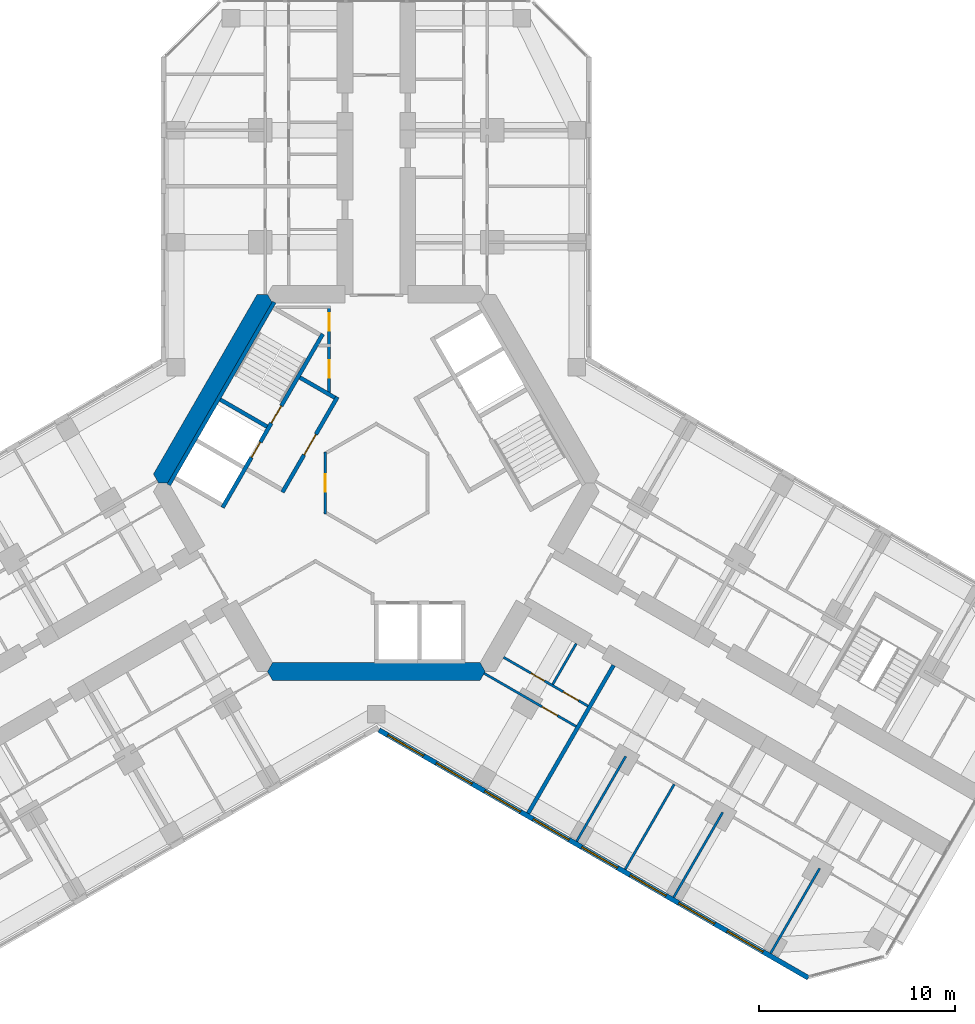
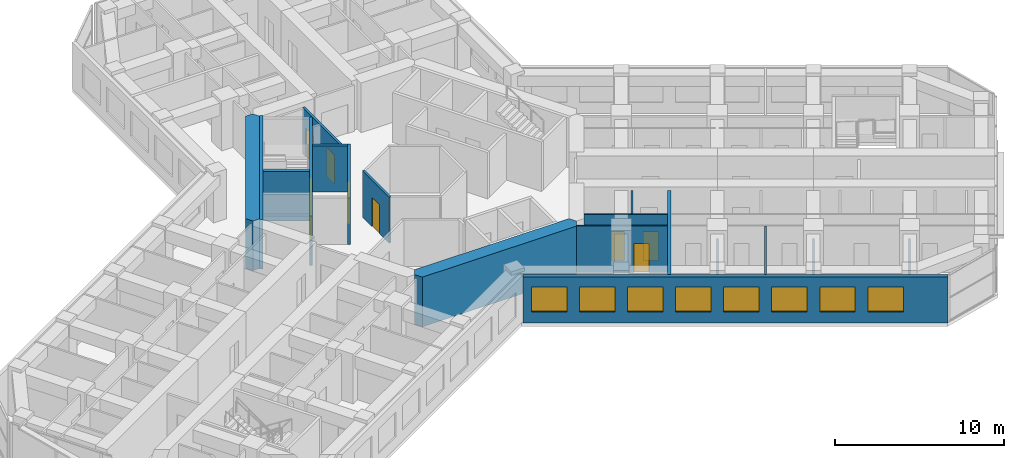
# One storey, part 13 of 19: 18 walls, 9 doors, 8 windows, 17 openings.
"""IFC4 building model written with IfcOpenShell, lengths in metres."""

from ifc_helpers import new_model, si_unit, direction, frame, frame_2d, origin, place, context, subcontext, project, spatial, polyline, rectangle, outline, extrude, material, layer, layer_set, type_object, element, fill, save


model = new_model("IFC4")

# Units and contexts
model_context = context("Model", 3, precision=1e-05, world=origin(), true_north=direction((0.0, 1.0)))
body_context = subcontext(model_context, "Body", "Model", "MODEL_VIEW")
ifc_project = project(units=[si_unit("LENGTHUNIT", "METRE"), si_unit("AREAUNIT", "SQUARE_METRE"), si_unit("VOLUMEUNIT", "CUBIC_METRE"), si_unit("PLANEANGLEUNIT", "RADIAN"), si_unit("MASSUNIT", "GRAM", prefix="KILO")], contexts=[model_context])

# Site, building, storey
site_placement = place(None, origin())
site = spatial("IfcSite", under=ifc_project, at=site_placement, CompositionType="ELEMENT")
building_placement = place(site_placement, origin())
building = spatial("IfcBuilding", under=site, at=building_placement, Name="Kosmar Iwan School Tower", CompositionType="ELEMENT")
storey_placement = place(building_placement, frame((0.0, 0.0, 158.0)))
storey = spatial("IfcBuildingStorey", under=building, at=storey_placement, Name="L39", CompositionType="ELEMENT", Elevation=158.0)

# Wall, openings, doors
ifc_material_1 = material(Name="Gypsum board on steel studs, fire-rated", Category="steel")
ifc_layer_1 = layer(ifc_material_1, 0.14990234375)
ifc_layer_set_1 = layer_set([ifc_layer_1], Name="Core room partition 150")
wall_type_1 = type_object("IfcWallType", Name="Core room partition 150", PredefinedType="PARTITIONING", material=ifc_layer_set_1)
wall_1_placement = place(storey_placement, frame((-2.39990234375, 9.014892578125, 0.0), z_axis=(0.0, 0.0, 1.0), x_axis=(0.0, -1.0, 0.0)))
wall_1 = element("IfcWall", 1, at=wall_1_placement, inside=storey, type_object=wall_type_1, Name="Core room partition L39-CW1", PredefinedType="PARTITIONING", context=body_context, shape_type="SweptSolid", body=[
    extrude(rectangle(XDim=4.484130859375, YDim=0.14990234375, at=frame_2d((2.2421875, 0.0))), origin(), (0.0, 0.0, 1.0), 3.35009765625),
])
opening_1_placement = place(wall_1_placement, frame((0.375, 0.0, 0.0)))
opening_1 = element("IfcOpeningElement", 2, at=opening_1_placement, cuts=wall_1, Name="Opening D14", PredefinedType="OPENING", context=body_context, shape_type="SweptSolid", body=[
    extrude(rectangle(XDim=0.89990234375, YDim=2.10009765625, at=frame_2d((0.449951171875, 1.050048828125))), frame((0.0, 0.0869140625, 0.0), z_axis=(0.0, -1.0, 0.0), x_axis=(1.0, 0.0, 0.0)), (0.0, 0.0, 1.0), 0.173828125),
])
opening_2_placement = place(wall_1_placement, frame((2.77490234375, 0.0, 0.0)))
opening_2 = element("IfcOpeningElement", 3, at=opening_2_placement, cuts=wall_1, Name="Opening D14", PredefinedType="OPENING", context=body_context, shape_type="SweptSolid", body=[
    extrude(rectangle(XDim=0.89990234375, YDim=2.10009765625, at=frame_2d((0.449951171875, 1.050048828125))), frame((0.0, 0.0869140625, 0.0), z_axis=(0.0, -1.0, 0.0), x_axis=(1.0, 0.0, 0.0)), (0.0, 0.0, 1.0), 0.173828125),
])
ifc_material_2 = material(Name="Timber fire door in steel frame", Category="steel")
door_type_1 = type_object("IfcDoorType", Name="Core room door 900x2100", OperationType="SINGLE_SWING_LEFT", PredefinedType="DOOR", material=ifc_material_2)
door_1_placement = place(opening_1_placement, origin())
door_1 = element("IfcDoor", 4, at=door_1_placement, inside=storey, type_object=door_type_1, Name="Electrical riser and switch room door L39 1", OperationType="SINGLE_SWING_LEFT", OverallHeight=2.10009765625, OverallWidth=0.89990234375, PredefinedType="DOOR", context=body_context, shape_type="SweptSolid", body=[
    extrude(rectangle(XDim=0.89990234375, YDim=2.10009765625, at=frame_2d((0.449951171875, 1.050048828125))), frame((0.0, 0.02490234375, 0.0), z_axis=(0.0, -1.0, 0.0), x_axis=(1.0, 0.0, 0.0)), (0.0, 0.0, 1.0), 0.050048828125),
])
fill(opening_1, door_1)
door_2_placement = place(opening_2_placement, origin())
door_2 = element("IfcDoor", 5, at=door_2_placement, inside=storey, type_object=door_type_1, Name="Plumbing and wet riser door L39 2", OperationType="SINGLE_SWING_RIGHT", OverallHeight=2.10009765625, OverallWidth=0.89990234375, PredefinedType="DOOR", context=body_context, shape_type="SweptSolid", body=[
    extrude(rectangle(XDim=0.89990234375, YDim=2.10009765625, at=frame_2d((0.449951171875, 1.050048828125))), frame((0.0, 0.02490234375, 0.0), z_axis=(0.0, -1.0, 0.0), x_axis=(1.0, 0.0, 0.0)), (0.0, 0.0, 1.0), 0.050048828125),
])
fill(opening_2, door_2)

# Wall, opening, door
wall_2_placement = place(storey_placement, frame((-2.60009765625, -1.576171875, 0.0), z_axis=(0.0, 0.0, 1.0), x_axis=(0.0, 1.0, 0.0)))
wall_2 = element("IfcWall", 6, at=wall_2_placement, inside=storey, type_object=wall_type_1, Name="Core room partition L39-CW10", PredefinedType="PARTITIONING", context=body_context, shape_type="SweptSolid", body=[
    extrude(rectangle(XDim=3.15234375, YDim=0.14990234375, at=frame_2d((1.576171875, 0.0))), origin(), (0.0, 0.0, 1.0), 3.35009765625),
])
opening_3_placement = place(wall_2_placement, frame((1.1259765625, 0.0, 0.0)))
opening_3 = element("IfcOpeningElement", 7, at=opening_3_placement, cuts=wall_2, Name="Opening D14", PredefinedType="OPENING", context=body_context, shape_type="SweptSolid", body=[
    extrude(rectangle(XDim=0.89990234375, YDim=2.10009765625, at=frame_2d((0.449951171875, 1.050048828125))), frame((0.0, 0.0869140625, 0.0), z_axis=(0.0, -1.0, 0.0), x_axis=(1.0, 0.0, 0.0)), (0.0, 0.0, 1.0), 0.173828125),
])
door_3_placement = place(opening_3_placement, origin())
door_3 = element("IfcDoor", 8, at=door_3_placement, inside=storey, type_object=door_type_1, Name="Bicycle repair room door L39 4", OperationType="SINGLE_SWING_RIGHT", OverallHeight=2.10009765625, OverallWidth=0.89990234375, PredefinedType="DOOR", context=body_context, shape_type="SweptSolid", body=[
    extrude(rectangle(XDim=0.89990234375, YDim=2.10009765625, at=frame_2d((0.449951171875, 1.050048828125))), frame((0.0, 0.02490234375, 0.0), z_axis=(0.0, -1.0, 0.0), x_axis=(1.0, 0.0, 0.0)), (0.0, 0.0, 1.0), 0.050048828125),
])
fill(opening_3, door_3)

# Walls
ifc_material_3 = material(Name="Concrete C50/60", Category="concrete")
ifc_layer_2 = layer(ifc_material_3, 0.89990234375)
ifc_layer_set_2 = layer_set([ifc_layer_2], Name="Core wall 900")
wall_type_2 = type_object("IfcWallType", Name="Core wall 900", PredefinedType="SHEAR", material=ifc_layer_set_2)
wall_3_placement = place(storey_placement, origin())
element("IfcWall", 9, at=wall_3_placement, inside=storey, type_object=wall_type_2, Name="Core wall F150", PredefinedType="SHEAR", context=body_context, shape_type="SweptSolid", body=[
    extrude(outline(polyline([(-11.085205078125, 0.0), (-10.5654296875, 0.0), (-5.28271484375, 9.14990234375), (-5.54248046875, 9.60009765625), (-6.062255859375, 9.60009765625), (-11.344970703125, 0.449951171875), (-11.085205078125, 0.0)])), origin(), (0.0, 0.0, 1.0), 3.60009765625),
])
wall_4_placement = place(storey_placement, origin())
element("IfcWall", 10, at=wall_4_placement, inside=storey, type_object=wall_type_2, Name="Core wall F270", PredefinedType="SHEAR", context=body_context, shape_type="SweptSolid", body=[
    extrude(outline(polyline([(-5.28271484375, -10.050048828125), (5.28271484375, -10.050048828125), (5.54248046875, -9.60009765625), (5.28271484375, -9.14990234375), (-5.28271484375, -9.14990234375), (-5.54248046875, -9.60009765625), (-5.28271484375, -10.050048828125)])), origin(), (0.0, 0.0, 1.0), 3.60009765625),
])

# Wall, openings, doors
ifc_material_4 = material(Name="Gypsum board on steel studs", Category="steel")
ifc_layer_3 = layer(ifc_material_4, 0.1201171875)
ifc_layer_set_3 = layer_set([ifc_layer_3], Name="Dwelling partition 120")
wall_type_3 = type_object("IfcWallType", Name="Dwelling partition 120", PredefinedType="PARTITIONING", material=ifc_layer_set_3)
wall_5_placement = place(storey_placement, frame((6.478515625, -8.87890625, 0.0), z_axis=(0.0, 0.0, 1.0), x_axis=(0.866040211805, -0.499974350878, 0.0)))
wall_5 = element("IfcWall", 11, at=wall_5_placement, inside=storey, type_object=wall_type_3, Name="Partition L39-CR1-W1", PredefinedType="PARTITIONING", context=body_context, shape_type="SweptSolid", body=[
    extrude(rectangle(XDim=4.949951171875, YDim=0.1201171875, at=frame_2d((2.47509765625, 0.0))), origin(), (0.0, 0.0, 1.0), 3.35009765625),
])
opening_4_placement = place(wall_5_placement, frame((1.60009765625, 0.0, 0.0)))
opening_4 = element("IfcOpeningElement", 12, at=opening_4_placement, cuts=wall_5, Name="Opening D3", PredefinedType="OPENING", context=body_context, shape_type="SweptSolid", body=[
    extrude(rectangle(XDim=0.800048828125, YDim=2.10009765625, at=frame_2d((0.39990234375, 1.050048828125))), frame((0.0, 0.072021484375, 0.0), z_axis=(0.0, -1.0, 0.0), x_axis=(1.0, 0.0, 0.0)), (0.0, 0.0, 1.0), 0.14404296875),
])
opening_5_placement = place(wall_5_placement, frame((3.5, 0.0, 0.0)))
opening_5 = element("IfcOpeningElement", 13, at=opening_5_placement, cuts=wall_5, Name="Opening D2", PredefinedType="OPENING", context=body_context, shape_type="SweptSolid", body=[
    extrude(rectangle(XDim=0.89990234375, YDim=2.10009765625, at=frame_2d((0.449951171875, 1.050048828125))), frame((0.0, 0.072021484375, 0.0), z_axis=(0.0, -1.0, 0.0), x_axis=(1.0, 0.0, 0.0)), (0.0, 0.0, 1.0), 0.14404296875),
])
ifc_material_5 = material(Name="Timber door in timber frame", Category="wood")
door_type_2 = type_object("IfcDoorType", Name="Internal door 900x2100", OperationType="SINGLE_SWING_LEFT", PredefinedType="DOOR", material=ifc_material_5)
door_4_placement = place(opening_5_placement, origin())
door_4 = element("IfcDoor", 14, at=door_4_placement, inside=storey, type_object=door_type_2, Name="Entrance hall door L39-CR1-S2", OperationType="SINGLE_SWING_RIGHT", OverallHeight=2.10009765625, OverallWidth=0.89990234375, PredefinedType="DOOR", context=body_context, shape_type="SweptSolid", body=[
    extrude(rectangle(XDim=0.89990234375, YDim=2.10009765625, at=frame_2d((0.449951171875, 1.050048828125))), frame((0.0, 0.02490234375, 0.0), z_axis=(0.0, -1.0, 0.0), x_axis=(1.0, 0.0, 0.0)), (0.0, 0.0, 1.0), 0.050048828125),
])
fill(opening_5, door_4)
ifc_material_6 = material(Name="Timber door in timber frame", Category="wood")
door_type_3 = type_object("IfcDoorType", Name="Sanitary room door 800x2100", OperationType="SINGLE_SWING_LEFT", PredefinedType="DOOR", material=ifc_material_6)
door_5_placement = place(opening_4_placement, origin())
door_5 = element("IfcDoor", 15, at=door_5_placement, inside=storey, type_object=door_type_3, Name="Bathroom door L39-CR1-S1", OperationType="SINGLE_SWING_RIGHT", OverallHeight=2.10009765625, OverallWidth=0.800048828125, PredefinedType="DOOR", context=body_context, shape_type="SweptSolid", body=[
    extrude(rectangle(XDim=0.800048828125, YDim=2.10009765625, at=frame_2d((0.39990234375, 1.050048828125))), frame((0.0, 0.02490234375, 0.0), z_axis=(0.0, -1.0, 0.0), x_axis=(1.0, 0.0, 0.0)), (0.0, 0.0, 1.0), 0.050048828125),
])
fill(opening_4, door_5)

# Wall, opening, door
wall_6_placement = place(storey_placement, frame((5.48876953125, -9.693115234375, 0.0), z_axis=(0.0, 0.0, 1.0), x_axis=(0.866028230842, -0.499995103361, 0.0)))
wall_6 = element("IfcWall", 16, at=wall_6_placement, inside=storey, type_object=wall_type_3, Name="Partition L39-CR1-W2", PredefinedType="PARTITIONING", context=body_context, shape_type="SweptSolid", body=[
    extrude(rectangle(XDim=5.39990234375, YDim=0.1201171875, at=frame_2d((2.699951171875, 0.0))), origin(), (0.0, 0.0, 1.0), 3.35009765625),
])
opening_6_placement = place(wall_6_placement, frame((3.39990234375, 0.0, 0.0)))
opening_6 = element("IfcOpeningElement", 17, at=opening_6_placement, cuts=wall_6, Name="Opening D2", PredefinedType="OPENING", context=body_context, shape_type="SweptSolid", body=[
    extrude(rectangle(XDim=0.89990234375, YDim=2.10009765625, at=frame_2d((0.449951171875, 1.050048828125))), frame((0.0, 0.072021484375, 0.0), z_axis=(0.0, -1.0, 0.0), x_axis=(1.0, 0.0, 0.0)), (0.0, 0.0, 1.0), 0.14404296875),
])
door_6_placement = place(opening_6_placement, origin())
door_6 = element("IfcDoor", 18, at=door_6_placement, inside=storey, type_object=door_type_2, Name="Studio living room and kitchen door L39-CR1-F1", OperationType="SINGLE_SWING_RIGHT", OverallHeight=2.10009765625, OverallWidth=0.89990234375, PredefinedType="DOOR", context=body_context, shape_type="SweptSolid", body=[
    extrude(rectangle(XDim=0.89990234375, YDim=2.10009765625, at=frame_2d((0.449951171875, 1.050048828125))), frame((0.0, 0.02490234375, 0.0), z_axis=(0.0, -1.0, 0.0), x_axis=(1.0, 0.0, 0.0)), (0.0, 0.0, 1.0), 0.050048828125),
])
fill(opening_6, door_6)

# Walls
wall_7_placement = place(storey_placement, frame((10.171630859375, -8.18212890625, 0.0), z_axis=(0.0, 0.0, 1.0), x_axis=(-0.499940577336, -0.866059708757, 0.0)))
element("IfcWall", 19, at=wall_7_placement, inside=storey, type_object=wall_type_3, Name="Partition L39-CR1-Y1", PredefinedType="PARTITIONING", context=body_context, shape_type="SweptSolid", body=[
    extrude(rectangle(XDim=2.389892578125, YDim=0.1201171875, at=frame_2d((1.19482421875, 0.0))), origin(), (0.0, 0.0, 1.0), 3.35009765625),
])
wall_8_placement = place(storey_placement, frame((12.690185546875, -13.919921875, 0.0), z_axis=(0.0, 0.0, 1.0), x_axis=(-0.500011847778, -0.866018563358, 0.0)))
element("IfcWall", 20, at=wall_8_placement, inside=storey, type_object=wall_type_3, Name="Partition L39-CR2-X1", PredefinedType="PARTITIONING", context=body_context, shape_type="SweptSolid", body=[
    extrude(rectangle(XDim=4.990234375, YDim=0.1201171875, at=frame_2d((2.4951171875, 0.0))), origin(), (0.0, 0.0, 1.0), 2.449951171875),
])
wall_9_placement = place(storey_placement, frame((15.158447265625, -15.344970703125, 0.0), z_axis=(0.0, 0.0, 1.0), x_axis=(-0.500011847778, -0.866018563358, 0.0)))
element("IfcWall", 21, at=wall_9_placement, inside=storey, type_object=wall_type_3, Name="Partition L39-CR2-X2", PredefinedType="PARTITIONING", context=body_context, shape_type="SweptSolid", body=[
    extrude(rectangle(XDim=4.990234375, YDim=0.1201171875, at=frame_2d((2.4951171875, 0.0))), origin(), (0.0, 0.0, 1.0), 3.35009765625),
])
wall_10_placement = place(storey_placement, frame((17.62646484375, -16.77001953125, 0.0), z_axis=(0.0, 0.0, 1.0), x_axis=(-0.499975153383, -0.86603974851, 0.0)))
element("IfcWall", 22, at=wall_10_placement, inside=storey, type_object=wall_type_3, Name="Partition L39-CR2-X3", PredefinedType="PARTITIONING", context=body_context, shape_type="SweptSolid", body=[
    extrude(rectangle(XDim=4.989990234375, YDim=0.1201171875, at=frame_2d((2.4951171875, 0.0))), origin(), (0.0, 0.0, 1.0), 2.449951171875),
])
wall_11_placement = place(storey_placement, frame((22.562744140625, -19.6201171875, 0.0), z_axis=(0.0, 0.0, 1.0), x_axis=(-0.499996339024, -0.86602751744, 0.0)))
element("IfcWall", 23, at=wall_11_placement, inside=storey, type_object=wall_type_3, Name="Partition L39-CR2-X4", PredefinedType="PARTITIONING", context=body_context, shape_type="SweptSolid", body=[
    extrude(rectangle(XDim=4.98974609375, YDim=0.1201171875, at=frame_2d((2.494873046875, 0.0))), origin(), (0.0, 0.0, 1.0), 2.449951171875),
])

# Wall, openings, windows
ifc_material_7 = material(Name="Black aluminium rainscreen on insulated framing", Category="aluminium")
ifc_layer_4 = layer(ifc_material_7, 0.25)
ifc_layer_set_4 = layer_set([ifc_layer_4], Name="External wall rainscreen 250")
wall_type_4 = type_object("IfcWallType", Name="External wall rainscreen 250", PredefinedType="SOLIDWALL", material=ifc_layer_set_4)
wall_12_placement = place(storey_placement, frame((0.137939453125, -12.5791015625, 0.0), z_axis=(0.0, 0.0, 1.0), x_axis=(0.866023775649, -0.500002820003, 0.0)))
wall_12 = element("IfcWall", 24, at=wall_12_placement, inside=storey, type_object=wall_type_4, Name="External wall CR L39", PredefinedType="SOLIDWALL", context=body_context, shape_type="SweptSolid", body=[
    extrude(rectangle(XDim=25.226318359375, YDim=0.25, at=frame_2d((12.61328125, 0.0))), origin(), (0.0, 0.0, 1.0), 3.35009765625),
])
opening_7_placement = place(wall_12_placement, frame((0.51611328125, 0.0, 0.800048828125)))
opening_7 = element("IfcOpeningElement", 25, at=opening_7_placement, cuts=wall_12, Name="Opening W4", PredefinedType="OPENING", context=body_context, shape_type="SweptSolid", body=[
    extrude(rectangle(XDim=2.10009765625, YDim=1.800048828125, at=frame_2d((1.050048828125, 0.89990234375))), frame((0.0, 0.136962890625, 0.0), z_axis=(0.0, -1.0, 0.0), x_axis=(1.0, 0.0, 0.0)), (0.0, 0.0, 1.0), 0.27392578125),
])
opening_8_placement = place(wall_12_placement, frame((3.365966796875, 0.0, 0.800048828125)))
opening_8 = element("IfcOpeningElement", 26, at=opening_8_placement, cuts=wall_12, Name="Opening W4", PredefinedType="OPENING", context=body_context, shape_type="SweptSolid", body=[
    extrude(rectangle(XDim=2.10009765625, YDim=1.800048828125, at=frame_2d((1.050048828125, 0.89990234375))), frame((0.0, 0.136962890625, 0.0), z_axis=(0.0, -1.0, 0.0), x_axis=(1.0, 0.0, 0.0)), (0.0, 0.0, 1.0), 0.27392578125),
])
opening_9_placement = place(wall_12_placement, frame((6.216064453125, 0.0, 0.800048828125)))
opening_9 = element("IfcOpeningElement", 27, at=opening_9_placement, cuts=wall_12, Name="Opening W4", PredefinedType="OPENING", context=body_context, shape_type="SweptSolid", body=[
    extrude(rectangle(XDim=2.10009765625, YDim=1.800048828125, at=frame_2d((1.050048828125, 0.89990234375))), frame((0.0, 0.136962890625, 0.0), z_axis=(0.0, -1.0, 0.0), x_axis=(1.0, 0.0, 0.0)), (0.0, 0.0, 1.0), 0.27392578125),
])
opening_10_placement = place(wall_12_placement, frame((9.06591796875, 0.0, 0.800048828125)))
opening_10 = element("IfcOpeningElement", 28, at=opening_10_placement, cuts=wall_12, Name="Opening W4", PredefinedType="OPENING", context=body_context, shape_type="SweptSolid", body=[
    extrude(rectangle(XDim=2.10009765625, YDim=1.800048828125, at=frame_2d((1.050048828125, 0.89990234375))), frame((0.0, 0.136962890625, 0.0), z_axis=(0.0, -1.0, 0.0), x_axis=(1.0, 0.0, 0.0)), (0.0, 0.0, 1.0), 0.27392578125),
])
opening_11_placement = place(wall_12_placement, frame((11.916015625, 0.0, 0.800048828125)))
opening_11 = element("IfcOpeningElement", 29, at=opening_11_placement, cuts=wall_12, Name="Opening W4", PredefinedType="OPENING", context=body_context, shape_type="SweptSolid", body=[
    extrude(rectangle(XDim=2.10009765625, YDim=1.800048828125, at=frame_2d((1.050048828125, 0.89990234375))), frame((0.0, 0.136962890625, 0.0), z_axis=(0.0, -1.0, 0.0), x_axis=(1.0, 0.0, 0.0)), (0.0, 0.0, 1.0), 0.27392578125),
])
opening_12_placement = place(wall_12_placement, frame((14.76611328125, 0.0, 0.800048828125)))
opening_12 = element("IfcOpeningElement", 30, at=opening_12_placement, cuts=wall_12, Name="Opening W4", PredefinedType="OPENING", context=body_context, shape_type="SweptSolid", body=[
    extrude(rectangle(XDim=2.10009765625, YDim=1.800048828125, at=frame_2d((1.050048828125, 0.89990234375))), frame((0.0, 0.136962890625, 0.0), z_axis=(0.0, -1.0, 0.0), x_axis=(1.0, 0.0, 0.0)), (0.0, 0.0, 1.0), 0.27392578125),
])
opening_13_placement = place(wall_12_placement, frame((17.615966796875, 0.0, 0.800048828125)))
opening_13 = element("IfcOpeningElement", 31, at=opening_13_placement, cuts=wall_12, Name="Opening W4", PredefinedType="OPENING", context=body_context, shape_type="SweptSolid", body=[
    extrude(rectangle(XDim=2.10009765625, YDim=1.800048828125, at=frame_2d((1.050048828125, 0.89990234375))), frame((0.0, 0.136962890625, 0.0), z_axis=(0.0, -1.0, 0.0), x_axis=(1.0, 0.0, 0.0)), (0.0, 0.0, 1.0), 0.27392578125),
])
opening_14_placement = place(wall_12_placement, frame((20.466064453125, 0.0, 0.800048828125)))
opening_14 = element("IfcOpeningElement", 32, at=opening_14_placement, cuts=wall_12, Name="Opening W4", PredefinedType="OPENING", context=body_context, shape_type="SweptSolid", body=[
    extrude(rectangle(XDim=2.10009765625, YDim=1.800048828125, at=frame_2d((1.050048828125, 0.89990234375))), frame((0.0, 0.136962890625, 0.0), z_axis=(0.0, -1.0, 0.0), x_axis=(1.0, 0.0, 0.0)), (0.0, 0.0, 1.0), 0.27392578125),
])
ifc_material_8 = material(Name="Black aluminium frame with dark triple glazing", Category="aluminium")
window_type = type_object("IfcWindowType", Name="Window 2100x1800", PartitioningType="SINGLE_PANEL", PredefinedType="WINDOW", material=ifc_material_8)
window_1_placement = place(opening_7_placement, origin())
window_1 = element("IfcWindow", 33, at=window_1_placement, inside=storey, type_object=window_type, Name="Window CR L39 -1", OverallHeight=1.800048828125, OverallWidth=2.10009765625, PartitioningType="SINGLE_PANEL", PredefinedType="WINDOW", context=body_context, shape_type="SweptSolid", body=[
    extrude(rectangle(XDim=2.10009765625, YDim=1.800048828125, at=frame_2d((1.050048828125, 0.89990234375))), frame((0.0, 0.030029296875, 0.0), z_axis=(0.0, -1.0, 0.0), x_axis=(1.0, 0.0, 0.0)), (0.0, 0.0, 1.0), 0.06005859375),
])
fill(opening_7, window_1)
window_2_placement = place(opening_8_placement, origin())
window_2 = element("IfcWindow", 34, at=window_2_placement, inside=storey, type_object=window_type, Name="Window CR L39 0", OverallHeight=1.800048828125, OverallWidth=2.10009765625, PartitioningType="SINGLE_PANEL", PredefinedType="WINDOW", context=body_context, shape_type="SweptSolid", body=[
    extrude(rectangle(XDim=2.10009765625, YDim=1.800048828125, at=frame_2d((1.050048828125, 0.89990234375))), frame((0.0, 0.030029296875, 0.0), z_axis=(0.0, -1.0, 0.0), x_axis=(1.0, 0.0, 0.0)), (0.0, 0.0, 1.0), 0.06005859375),
])
fill(opening_8, window_2)
window_3_placement = place(opening_9_placement, origin())
window_3 = element("IfcWindow", 35, at=window_3_placement, inside=storey, type_object=window_type, Name="Window CR L39 1", OverallHeight=1.800048828125, OverallWidth=2.10009765625, PartitioningType="SINGLE_PANEL", PredefinedType="WINDOW", context=body_context, shape_type="SweptSolid", body=[
    extrude(rectangle(XDim=2.10009765625, YDim=1.800048828125, at=frame_2d((1.050048828125, 0.89990234375))), frame((0.0, 0.030029296875, 0.0), z_axis=(0.0, -1.0, 0.0), x_axis=(1.0, 0.0, 0.0)), (0.0, 0.0, 1.0), 0.06005859375),
])
fill(opening_9, window_3)
window_4_placement = place(opening_10_placement, origin())
window_4 = element("IfcWindow", 36, at=window_4_placement, inside=storey, type_object=window_type, Name="Window CR L39 2", OverallHeight=1.800048828125, OverallWidth=2.10009765625, PartitioningType="SINGLE_PANEL", PredefinedType="WINDOW", context=body_context, shape_type="SweptSolid", body=[
    extrude(rectangle(XDim=2.10009765625, YDim=1.800048828125, at=frame_2d((1.050048828125, 0.89990234375))), frame((0.0, 0.030029296875, 0.0), z_axis=(0.0, -1.0, 0.0), x_axis=(1.0, 0.0, 0.0)), (0.0, 0.0, 1.0), 0.06005859375),
])
fill(opening_10, window_4)
window_5_placement = place(opening_11_placement, origin())
window_5 = element("IfcWindow", 37, at=window_5_placement, inside=storey, type_object=window_type, Name="Window CR L39 3", OverallHeight=1.800048828125, OverallWidth=2.10009765625, PartitioningType="SINGLE_PANEL", PredefinedType="WINDOW", context=body_context, shape_type="SweptSolid", body=[
    extrude(rectangle(XDim=2.10009765625, YDim=1.800048828125, at=frame_2d((1.050048828125, 0.89990234375))), frame((0.0, 0.030029296875, 0.0), z_axis=(0.0, -1.0, 0.0), x_axis=(1.0, 0.0, 0.0)), (0.0, 0.0, 1.0), 0.06005859375),
])
fill(opening_11, window_5)
window_6_placement = place(opening_12_placement, origin())
window_6 = element("IfcWindow", 38, at=window_6_placement, inside=storey, type_object=window_type, Name="Window CR L39 4", OverallHeight=1.800048828125, OverallWidth=2.10009765625, PartitioningType="SINGLE_PANEL", PredefinedType="WINDOW", context=body_context, shape_type="SweptSolid", body=[
    extrude(rectangle(XDim=2.10009765625, YDim=1.800048828125, at=frame_2d((1.050048828125, 0.89990234375))), frame((0.0, 0.030029296875, 0.0), z_axis=(0.0, -1.0, 0.0), x_axis=(1.0, 0.0, 0.0)), (0.0, 0.0, 1.0), 0.06005859375),
])
fill(opening_12, window_6)
window_7_placement = place(opening_13_placement, origin())
window_7 = element("IfcWindow", 39, at=window_7_placement, inside=storey, type_object=window_type, Name="Window CR L39 5", OverallHeight=1.800048828125, OverallWidth=2.10009765625, PartitioningType="SINGLE_PANEL", PredefinedType="WINDOW", context=body_context, shape_type="SweptSolid", body=[
    extrude(rectangle(XDim=2.10009765625, YDim=1.800048828125, at=frame_2d((1.050048828125, 0.89990234375))), frame((0.0, 0.030029296875, 0.0), z_axis=(0.0, -1.0, 0.0), x_axis=(1.0, 0.0, 0.0)), (0.0, 0.0, 1.0), 0.06005859375),
])
fill(opening_13, window_7)
window_8_placement = place(opening_14_placement, origin())
window_8 = element("IfcWindow", 40, at=window_8_placement, inside=storey, type_object=window_type, Name="Window CR L39 6", OverallHeight=1.800048828125, OverallWidth=2.10009765625, PartitioningType="SINGLE_PANEL", PredefinedType="WINDOW", context=body_context, shape_type="SweptSolid", body=[
    extrude(rectangle(XDim=2.10009765625, YDim=1.800048828125, at=frame_2d((1.050048828125, 0.89990234375))), frame((0.0, 0.030029296875, 0.0), z_axis=(0.0, -1.0, 0.0), x_axis=(1.0, 0.0, 0.0)), (0.0, 0.0, 1.0), 0.06005859375),
])
fill(opening_14, window_8)

# Wall, opening, door
ifc_material_9 = material(Name="Concrete block masonry", Category="masonry")
ifc_layer_5 = layer(ifc_material_9, 0.199951171875)
ifc_layer_set_5 = layer_set([ifc_layer_5], Name="Fire lobby wall 200")
wall_type_5 = type_object("IfcWallType", Name="Fire lobby wall 200", PredefinedType="PARTITIONING", material=ifc_layer_set_5)
wall_13_placement = place(storey_placement, frame((-1.9775390625, 4.374755859375, 0.0), z_axis=(0.0, 0.0, 1.0), x_axis=(-0.500016814911, -0.866015695474, 0.0)))
wall_13 = element("IfcWall", 41, at=wall_13_placement, inside=storey, type_object=wall_type_5, Name="Firefighting lobby wall ST2", PredefinedType="PARTITIONING", context=body_context, shape_type="SweptSolid", body=[
    extrude(rectangle(XDim=5.599853515625, YDim=0.199951171875, at=frame_2d((2.7998046875, 0.0))), origin(), (0.0, 0.0, 1.0), 3.35009765625),
])
opening_15_placement = place(wall_13_placement, frame((2.199951171875, 0.0, 0.0)))
opening_15 = element("IfcOpeningElement", 42, at=opening_15_placement, cuts=wall_13, Name="Opening D7", PredefinedType="OPENING", context=body_context, shape_type="SweptSolid", body=[
    extrude(rectangle(XDim=1.199951171875, YDim=2.10009765625, at=frame_2d((0.60009765625, 1.050048828125))), frame((0.0, 0.112060546875, 0.0), z_axis=(0.0, -1.0, 0.0), x_axis=(1.0, 0.0, 0.0)), (0.0, 0.0, 1.0), 0.223876953125),
])
ifc_material_10 = material(Name="Steel fire door", Category="steel")
door_type_4 = type_object("IfcDoorType", Name="Fire lobby door 1200x2100", OperationType="SINGLE_SWING_LEFT", PredefinedType="DOOR", material=ifc_material_10)
door_7_placement = place(opening_15_placement, frame((1.199951171875, 0.0, 0.0), z_axis=(0.0, 0.0, 1.0), x_axis=(-1.0, 0.0, 0.0)))
door_7 = element("IfcDoor", 43, at=door_7_placement, inside=storey, type_object=door_type_4, Name="Firefighting lobby door ST2 L39", OperationType="SINGLE_SWING_LEFT", OverallHeight=2.10009765625, OverallWidth=1.199951171875, PredefinedType="DOOR", context=body_context, shape_type="SweptSolid", body=[
    extrude(rectangle(XDim=1.199951171875, YDim=2.10009765625, at=frame_2d((0.60009765625, 1.050048828125))), frame((0.0, 0.02490234375, 0.0), z_axis=(0.0, -1.0, 0.0), x_axis=(1.0, 0.0, 0.0)), (0.0, 0.0, 1.0), 0.050048828125),
])
fill(opening_15, door_7)

# Wall
wall_14_placement = place(storey_placement, frame((-2.114013671875, 4.33837890625, 0.0), z_axis=(0.0, 0.0, 1.0), x_axis=(-0.866050731258, 0.499956128963, 0.0)))
element("IfcWall", 44, at=wall_14_placement, inside=storey, type_object=wall_type_5, Name="Firefighting lobby wall ST2", PredefinedType="PARTITIONING", context=body_context, shape_type="SweptSolid", body=[
    extrude(rectangle(XDim=2.050048828125, YDim=0.199951171875, at=frame_2d((1.02490234375, 0.0))), origin(), (0.0, 0.0, 1.0), 3.35009765625),
])

# Wall, openings, doors
ifc_material_11 = material(Name="Concrete C50/60", Category="concrete")
ifc_layer_6 = layer(ifc_material_11, 0.199951171875)
ifc_layer_set_6 = layer_set([ifc_layer_6], Name="Lift shaft wall 200")
wall_type_6 = type_object("IfcWallType", Name="Lift shaft wall 200", PredefinedType="SHEAR", material=ifc_layer_set_6)
wall_15_placement = place(storey_placement, frame((-2.72607421875, 7.578369140625, 0.0), z_axis=(0.0, 0.0, 1.0), x_axis=(-0.500005610874, -0.86602216432, 0.0)))
wall_15 = element("IfcWall", 45, at=wall_15_placement, inside=storey, type_object=wall_type_6, Name="Lift and stair front wall AB", PredefinedType="SHEAR", context=body_context, shape_type="SweptSolid", body=[
    extrude(rectangle(XDim=10.2001953125, YDim=0.199951171875, at=frame_2d((5.10009765625, 0.0))), origin(), (0.0, 0.0, 1.0), 3.60009765625),
])
opening_16_placement = place(wall_15_placement, frame((6.35009765625, 0.0, 0.0)))
opening_16 = element("IfcOpeningElement", 46, at=opening_16_placement, cuts=wall_15, Name="Opening LD2", PredefinedType="OPENING", context=body_context, shape_type="SweptSolid", body=[
    extrude(rectangle(XDim=0.89990234375, YDim=2.10009765625, at=frame_2d((0.449951171875, 1.050048828125))), frame((0.0, 0.112060546875, 0.0), z_axis=(0.0, -1.0, 0.0), x_axis=(1.0, 0.0, 0.0)), (0.0, 0.0, 1.0), 0.223876953125),
])
opening_17_placement = place(wall_15_placement, frame((4.22998046875, 0.0, 0.0)))
opening_17 = element("IfcOpeningElement", 47, at=opening_17_placement, cuts=wall_15, Name="Opening D6", PredefinedType="OPENING", context=body_context, shape_type="SweptSolid", body=[
    extrude(rectangle(XDim=1.0, YDim=2.10009765625, at=frame_2d((0.5, 1.050048828125))), frame((0.0, 0.112060546875, 0.0), z_axis=(0.0, -1.0, 0.0), x_axis=(1.0, 0.0, 0.0)), (0.0, 0.0, 1.0), 0.223876953125),
])
ifc_material_12 = material(Name="Stainless steel sliding lift door", Category="steel")
door_type_5 = type_object("IfcDoorType", Name="Firefighting lift landing door 900x2100", OperationType="SLIDING_TO_LEFT", PredefinedType="DOOR", material=ifc_material_12)
door_8_placement = place(opening_16_placement, origin())
door_8 = element("IfcDoor", 48, at=door_8_placement, inside=storey, type_object=door_type_5, Name="Lift FF2 landing door L39", OperationType="SLIDING_TO_LEFT", OverallHeight=2.10009765625, OverallWidth=0.89990234375, PredefinedType="DOOR", context=body_context, shape_type="SweptSolid", body=[
    extrude(rectangle(XDim=0.89990234375, YDim=2.10009765625, at=frame_2d((0.449951171875, 1.050048828125))), frame((0.0, 0.02490234375, 0.0), z_axis=(0.0, -1.0, 0.0), x_axis=(1.0, 0.0, 0.0)), (0.0, 0.0, 1.0), 0.050048828125),
])
fill(opening_16, door_8)
ifc_material_13 = material(Name="Steel fire door", Category="steel")
door_type_6 = type_object("IfcDoorType", Name="Stair door 1000x2100", OperationType="SINGLE_SWING_LEFT", PredefinedType="DOOR", material=ifc_material_13)
door_9_placement = place(opening_17_placement, origin())
door_9 = element("IfcDoor", 49, at=door_9_placement, inside=storey, type_object=door_type_6, Name="Stair ST2 door L39", OperationType="SINGLE_SWING_LEFT", OverallHeight=2.10009765625, OverallWidth=1.0, PredefinedType="DOOR", context=body_context, shape_type="SweptSolid", body=[
    extrude(rectangle(XDim=1.0, YDim=2.10009765625, at=frame_2d((0.5, 1.050048828125))), frame((0.0, 0.02490234375, 0.0), z_axis=(0.0, -1.0, 0.0), x_axis=(1.0, 0.0, 0.0)), (0.0, 0.0, 1.0), 0.050048828125),
])
fill(opening_17, door_9)

# Walls
wall_16_placement = place(storey_placement, frame((-5.196044921875, 9.199951171875, 0.0), z_axis=(0.0, 0.0, 1.0), x_axis=(-0.499999935134, -0.866025441235, 0.0)))
element("IfcWall", 50, at=wall_16_placement, inside=storey, type_object=wall_type_6, Name="Lift and stair back wall AB", PredefinedType="SHEAR", context=body_context, shape_type="SweptSolid", body=[
    extrude(rectangle(XDim=10.73876953125, YDim=0.199951171875, at=frame_2d((5.369384765625, 0.0))), origin(), (0.0, 0.0, 1.0), 3.60009765625),
])
ifc_material_14 = material(Name="Concrete block masonry", Category="masonry")
ifc_layer_7 = layer(ifc_material_14, 0.199951171875)
ifc_layer_set_7 = layer_set([ifc_layer_7], Name="Party wall 200")
wall_type_7 = type_object("IfcWallType", Name="Party wall 200", PredefinedType="PARTITIONING", material=ifc_layer_set_7)
wall_17_placement = place(storey_placement, frame((12.076904296875, -9.281982421875, 0.0), z_axis=(0.0, 0.0, 1.0), x_axis=(-0.499987231761, -0.866032775405, 0.0)))
element("IfcWall", 51, at=wall_17_placement, inside=storey, type_object=wall_type_7, Name="Partition L39-CR2-PW", PredefinedType="PARTITIONING", context=body_context, shape_type="SweptSolid", body=[
    extrude(rectangle(XDim=8.699951171875, YDim=0.199951171875, at=frame_2d((4.35009765625, 0.0))), origin(), (0.0, 0.0, 1.0), 3.35009765625),
])
ifc_material_15 = material(Name="Concrete C50/60", Category="concrete")
ifc_layer_8 = layer(ifc_material_15, 0.199951171875)
ifc_layer_set_8 = layer_set([ifc_layer_8], Name="Stair enclosure wall 200")
wall_type_8 = type_object("IfcWallType", Name="Stair enclosure wall 200", PredefinedType="SHEAR", material=ifc_layer_set_8)
wall_18_placement = place(storey_placement, frame((-5.562744140625, 2.865234375, 0.0), z_axis=(0.0, 0.0, 1.0), x_axis=(-0.866027397988, 0.499996545922, 0.0)))
element("IfcWall", 52, at=wall_18_placement, inside=storey, type_object=wall_type_8, Name="Stair ST2 wall", PredefinedType="SHEAR", context=body_context, shape_type="SweptSolid", body=[
    extrude(rectangle(XDim=2.75, YDim=0.199951171875, at=frame_2d((1.375, 0.0))), origin(), (0.0, 0.0, 1.0), 3.60009765625),
])

save(model, "model.ifc")
